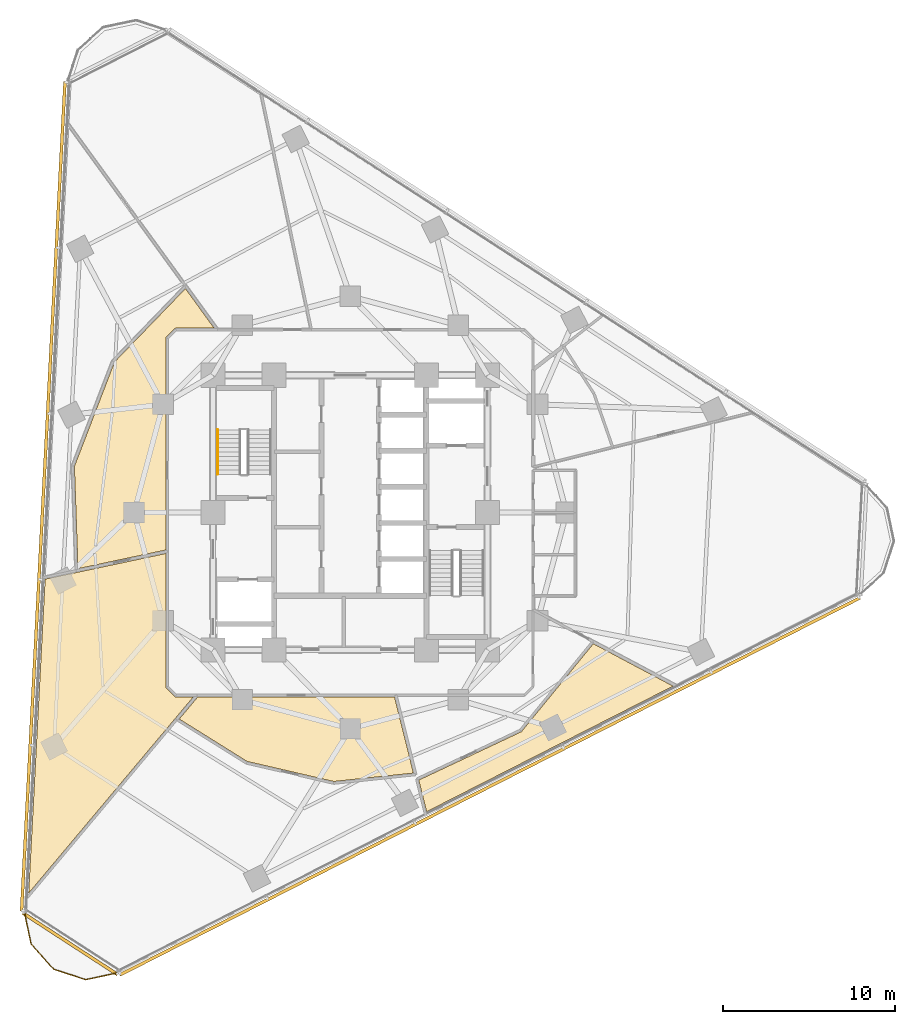
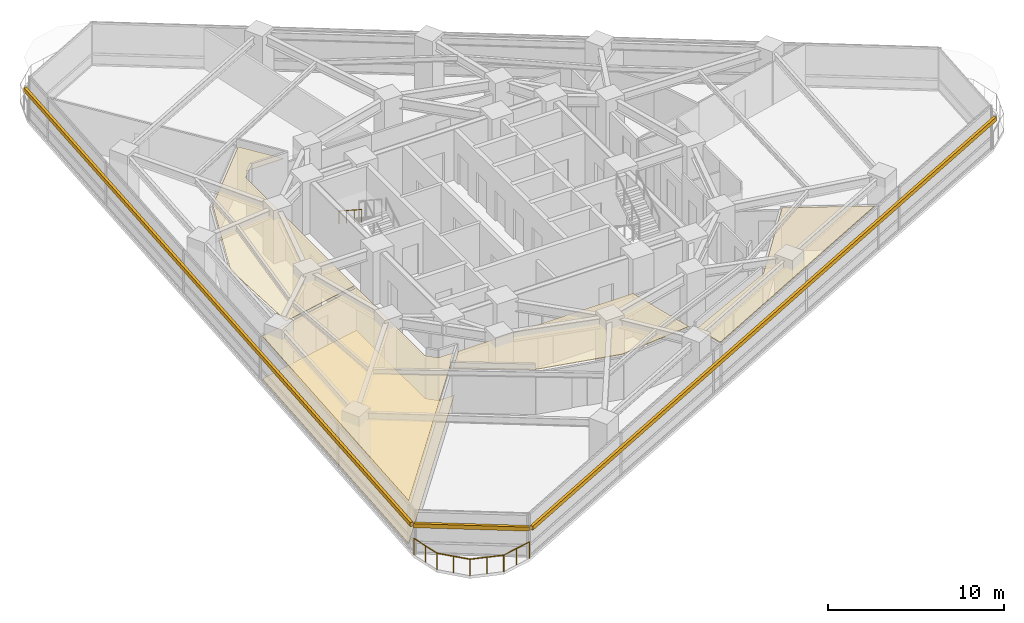
# One storey, part 12 of 14: 5 coverings, 3 shading devices, 2 railings.
"""IFC4 building model written with IfcOpenShell, lengths in metres."""

import ifcopenshell
import ifcopenshell.guid

model = None  # the IFC model being written
_history = None  # IfcOwnerHistory: only IFC2X3 demands one
_inside = {}  # id of a spatial element -> (the spatial element, [elements in it])
_under = {}  # id of a project, library or spatial element -> (it, [spatial elements below it])
_declared = {}  # id of a project -> (the project, [libraries it declares])
_typed = {}  # id of a type object -> (the type object, [elements of that type])
_made_of = {}  # id of a material, layer set ... -> (it, [elements and type objects made of it])


def new_model(schema):
    """Start an empty IFC model of exactly this schema.

    Asked for "IFC4X3", IfcOpenShell would pick the latest addendum, in which some entities
    have other attributes; the version numbers below select the first issue.
    IFC2X3 requires an IfcOwnerHistory on every rooted entity: one is made here for all.
    """
    global model, _history
    if schema == "IFC4X3":
        model = ifcopenshell.file(schema_version=(4, 3, 0, 0))
    else:
        model = ifcopenshell.file(schema=schema)
    _inside.clear()
    _under.clear()
    _declared.clear()
    _typed.clear()
    _made_of.clear()
    _history = None
    if model.schema == "IFC2X3":
        org = make("IfcOrganization", Name="unknown")
        user = make(
            "IfcPersonAndOrganization",
            ThePerson=make("IfcPerson", FamilyName="unknown"),
            TheOrganization=org,
        )
        app = make(
            "IfcApplication",
            ApplicationDeveloper=org,
            Version="unknown",
            ApplicationFullName="unknown",
            ApplicationIdentifier="unknown",
        )
        _history = make(
            "IfcOwnerHistory",
            OwningUser=user,
            OwningApplication=app,
            ChangeAction="ADDED",
            CreationDate=0,
        )
    return model


def make(cls, **values):
    """One entity of the class cls with the attributes given. An attribute that is None is left unset."""
    return model.create_entity(
        cls, **{name: value for name, value in values.items() if value is not None}
    )


def rooted(cls, **values):
    """An entity with a GlobalId (a new one), such as an element, a storey or a relation."""
    return make(cls, GlobalId=ifcopenshell.guid.new(), OwnerHistory=_history, **values)


def si_unit(unit_type, name, prefix=None):
    """IfcSIUnit, for example si_unit("LENGTHUNIT", "METRE", prefix="MILLI")."""
    return make("IfcSIUnit", UnitType=unit_type, Prefix=prefix, Name=name)


def assignment(units):
    """IfcUnitAssignment: the units of a project."""
    return None if units is None else make("IfcUnitAssignment", Units=units)


def point(xyz):
    """IfcCartesianPoint."""
    return None if xyz is None else make("IfcCartesianPoint", Coordinates=xyz)


def direction(xyz):
    """IfcDirection."""
    return None if xyz is None else make("IfcDirection", DirectionRatios=xyz)


def frame(location, z_axis=None, x_axis=None):
    """IfcAxis2Placement3D, a coordinate frame: its origin and axes. An axis left out is left unset."""
    return make(
        "IfcAxis2Placement3D",
        Location=point(location),
        Axis=direction(z_axis),
        RefDirection=direction(x_axis),
    )


def frame_2d(location, x_axis=None):
    """IfcAxis2Placement2D, a coordinate frame in the plane: its origin and x axis."""
    return make(
        "IfcAxis2Placement2D", Location=point(location), RefDirection=direction(x_axis)
    )


def origin():
    """The frame at (0, 0, 0) with its axes left unset."""
    return frame((0.0, 0.0, 0.0))


def origin_2d():
    """The frame at (0, 0) in the plane with its x axis left unset."""
    return frame_2d((0.0, 0.0))


def place(relative_to, where):
    """IfcLocalPlacement: puts the frame where relative to a parent placement (None: the world)."""
    return make(
        "IfcLocalPlacement", PlacementRelTo=relative_to, RelativePlacement=where
    )


def context(
    kind, dimensions, precision=None, world=None, true_north=None, identifier=None
):
    """IfcGeometricRepresentationContext, for example the 3D "Model" context."""
    return make(
        "IfcGeometricRepresentationContext",
        ContextIdentifier=identifier,
        ContextType=kind,
        CoordinateSpaceDimension=dimensions,
        Precision=precision,
        WorldCoordinateSystem=world,
        TrueNorth=true_north,
    )


def subcontext(parent, identifier, kind, view, scale=None):
    """IfcGeometricRepresentationSubContext, for example "Body" below "Model"."""
    return make(
        "IfcGeometricRepresentationSubContext",
        ContextIdentifier=identifier,
        ContextType=kind,
        ParentContext=parent,
        TargetScale=scale,
        TargetView=view,
    )


def project(units=None, contexts=None):
    """IfcProject with its units and contexts."""
    return rooted(
        "IfcProject",
        Name="project",
        RepresentationContexts=contexts,
        UnitsInContext=assignment(units),
    )


def spatial(cls, under=None, at=None, **own):
    """A site, building, storey or space (cls), placed at a placement, below another one or the project."""
    s = rooted(cls, ObjectPlacement=at, **own)
    if under is not None:
        _under.setdefault(under.id(), (under, []))[1].append(s)
    return s


def polyline(points):
    """IfcPolyline through the points."""
    return make("IfcPolyline", Points=[point(p) for p in points])


def profile(cls, at=None, kind="AREA", **sizes):
    """A parametric profile (cls). Its sizes go by their IFC names, for example OverallWidth=200.0."""
    return make(cls, ProfileType=kind, Position=at, **sizes)


def rectangle(**sizes):
    """IfcRectangleProfileDef."""
    return profile("IfcRectangleProfileDef", **sizes)


def circle(**sizes):
    """IfcCircleProfileDef."""
    return profile("IfcCircleProfileDef", **sizes)


def outline(outer, holes=None, kind="AREA"):
    """IfcArbitraryClosedProfileDef: a profile drawn as a closed curve; with holes, ...WithVoids."""
    if holes is None:
        return make("IfcArbitraryClosedProfileDef", ProfileType=kind, OuterCurve=outer)
    return make(
        "IfcArbitraryProfileDefWithVoids",
        ProfileType=kind,
        OuterCurve=outer,
        InnerCurves=holes,
    )


def extrude(swept, where, along, depth):
    """IfcExtrudedAreaSolid: the profile swept, set in the frame where, extruded along a direction by depth."""
    return make(
        "IfcExtrudedAreaSolid",
        SweptArea=swept,
        Position=where,
        ExtrudedDirection=direction(along),
        Depth=depth,
    )


def shape(context_of_items, identifier, shape_type, items):
    """IfcShapeRepresentation: the items that make up one representation, for example the "Body"."""
    return make(
        "IfcShapeRepresentation",
        ContextOfItems=context_of_items,
        RepresentationIdentifier=identifier,
        RepresentationType=shape_type,
        Items=items,
    )


def material(Name=None, Category=None):
    """IfcMaterial."""
    return make("IfcMaterial", Name=Name, Category=Category)


def layer(
    of_material, thickness, ventilated=None, Name=None, Category=None, Priority=None
):
    """IfcMaterialLayer: one layer of a wall or slab, of a material (None: an air gap)."""
    return make(
        "IfcMaterialLayer",
        Material=of_material,
        LayerThickness=thickness,
        IsVentilated=ventilated,
        Name=Name,
        Category=Category,
        Priority=Priority,
    )


def layer_set(layers, Name=None):
    """IfcMaterialLayerSet."""
    return make("IfcMaterialLayerSet", MaterialLayers=layers, LayerSetName=Name)


def made_of(thing, what):
    """Note that an element or type object is made of a material, layer set ...; save() writes the relation."""
    if what is not None:
        _made_of.setdefault(what.id(), (what, []))[1].append(thing)
    return thing


def type_object(cls, material=None, **own):
    """A type object (cls), such as IfcWallType, which elements share."""
    return made_of(rooted(cls, **own), material)


def element(
    cls,
    number,
    at=None,
    inside=None,
    cuts=None,
    type_object=None,
    material=None,
    context=None,
    identifier="Body",
    shape_type=None,
    held_by="IfcProductDefinitionShape",
    body=None,
    shapes=None,
    **own,
):
    """One element of the class cls, such as IfcWall. Its Tag is "e" and its number.

    at: its placement. inside: the storey or other place that contains it. cuts: it is an
    opening in that element (IfcRelVoidsElement). A single representation is given by context,
    identifier, shape_type and body (its items); several are given by shapes. held_by: the class
    of the entity that holds the representations. save() writes the other relations.
    """
    e = rooted(cls, Tag="e%d" % number, ObjectPlacement=at, **own)
    if body is not None:
        shapes = [shape(context, identifier, shape_type, body)]
    if shapes is not None:
        e.Representation = make(held_by, Representations=shapes)
    if inside is not None:
        _inside.setdefault(inside.id(), (inside, []))[1].append(e)
    if cuts is not None:
        rooted(
            "IfcRelVoidsElement", RelatingBuildingElement=cuts, RelatedOpeningElement=e
        )
    if type_object is not None:
        _typed.setdefault(type_object.id(), (type_object, []))[1].append(e)
    return made_of(e, material)


def aggregate(whole, parts):
    """IfcRelAggregates: a whole, such as a stair, and the parts it consists of."""
    return rooted("IfcRelAggregates", RelatingObject=whole, RelatedObjects=parts)


def save(model, path):
    """Write the relations noted so far, then the file.

    IfcRelAggregates (storeys below a building ...), IfcRelContainedInSpatialStructure (elements
    in a storey), IfcRelDefinesByType, IfcRelAssociatesMaterial and IfcRelDeclares: one each for
    every whole, place, type object, material and project.
    """
    for whole, parts in _under.values():
        aggregate(whole, parts)
    for where, things in _inside.values():
        rooted(
            "IfcRelContainedInSpatialStructure",
            RelatedElements=things,
            RelatingStructure=where,
        )
    for kind, things in _typed.values():
        rooted("IfcRelDefinesByType", RelatedObjects=things, RelatingType=kind)
    for what, things in _made_of.values():
        rooted("IfcRelAssociatesMaterial", RelatedObjects=things, RelatingMaterial=what)
    for by, libraries in _declared.values():
        rooted("IfcRelDeclares", RelatingContext=by, RelatedDefinitions=libraries)
    model.write(path)


model = new_model("IFC4")

# Units and contexts
model_context = context("Model", 3, precision=1e-05, world=origin(), true_north=direction((0.0, 1.0)))
body_context = subcontext(model_context, "Body", "Model", "MODEL_VIEW")
ifc_project = project(units=[si_unit("LENGTHUNIT", "METRE"), si_unit("AREAUNIT", "SQUARE_METRE"), si_unit("VOLUMEUNIT", "CUBIC_METRE"), si_unit("PLANEANGLEUNIT", "RADIAN"), si_unit("MASSUNIT", "GRAM", prefix="KILO")], contexts=[model_context])

# Site, building, storey
site_placement = place(None, origin())
site = spatial("IfcSite", under=ifc_project, at=site_placement, CompositionType="ELEMENT")
building_placement = place(site_placement, origin())
building = spatial("IfcBuilding", under=site, at=building_placement, Name="Terralouvre Media Tower", CompositionType="ELEMENT")
storey_placement = place(building_placement, frame((0.0, 0.0, 127.300048828125)))
storey = spatial("IfcBuildingStorey", under=building, at=storey_placement, Name="L32", CompositionType="ELEMENT", Elevation=127.300048828125)

# Coverings
ifc_material_1 = material(Name="Resilient elastomer acoustic broadcast studio flooring")
ifc_layer_1 = layer(ifc_material_1, 0.050048828125, Name="Broadcast Studio Acoustic Floating Floor FL-AC1")
ifc_layer_set_1 = layer_set([ifc_layer_1], Name="Resilient elastomer acoustic broadcast studio flooring")
covering_type_1 = type_object("IfcCoveringType", Name="Broadcast Studio Acoustic Floating Floor FL-AC1", PredefinedType="FLOORING", material=ifc_layer_set_1)
covering_1_placement = place(storey_placement, frame((0.0, 0.0, 0.0), z_axis=(0.0, 0.0, 1.0), x_axis=(0.891006524188, 0.45399049974, 0.0)))
element("IfcCovering", 1, at=covering_1_placement, inside=storey, type_object=covering_type_1, Name="L32 OB Coordination Crew Room 1 Acoustic Floating Floor", PredefinedType="FLOORING", context=body_context, shape_type="SweptSolid", body=[
    extrude(outline(polyline([(-13.033447265625, -5.424072265625), (-13.924072265625, -4.97021484375), (-13.9326171875, -4.96533203125), (-13.940673828125, -4.959716796875), (-13.947998046875, -4.953369140625), (-13.954833984375, -4.946044921875), (-13.960693359375, -4.9384765625), (-13.966064453125, -4.929931640625), (-13.97021484375, -4.92138671875), (-13.973876953125, -4.912109375), (-14.1923828125, -4.239501953125), (-14.19482421875, -4.230224609375), (-14.196533203125, -4.220458984375), (-14.197265625, -4.210693359375), (-14.197021484375, -4.200927734375), (-14.195556640625, -4.191162109375), (-14.193603515625, -4.181640625), (-14.1904296875, -4.17236328125), (-14.186279296875, -4.163330078125), (-10.662109375, 2.753173828125), (-15.78857421875, 4.126708984375), (-17.603271484375, 4.61376953125), (-26.763671875, -11.251708984375), (-14.5244140625, -6.056884765625), (-13.033447265625, -5.424072265625)])), origin(), (0.0, 0.0, 1.0), 0.050048828125),
])
ifc_material_2 = material(Name="Perforated aluminium acoustic ceiling baffle", Category="aluminium")
ifc_layer_2 = layer(ifc_material_2, 0.0400390625, Name="Perforated Acoustic Metal Tile Ceiling CL-AC1")
ifc_layer_set_2 = layer_set([ifc_layer_2], Name="Perforated aluminium acoustic ceiling baffle")
covering_type_2 = type_object("IfcCoveringType", Name="Perforated Acoustic Metal Tile Ceiling CL-AC1", PredefinedType="CEILING", material=ifc_layer_set_2)
covering_2_placement = place(storey_placement, frame((0.0, 0.0, 2.97998046875), z_axis=(0.0, 0.0, 1.0), x_axis=(0.891006524188, 0.45399049974, 0.0)))
element("IfcCovering", 2, at=covering_2_placement, inside=storey, type_object=covering_type_2, Name="L32 OB Coordination Crew Room 1 Acoustic Ceiling", PredefinedType="CEILING", context=body_context, shape_type="SweptSolid", body=[
    extrude(outline(polyline([(-13.033447265625, -5.424072265625), (-13.924072265625, -4.97021484375), (-13.9326171875, -4.96533203125), (-13.940673828125, -4.959716796875), (-13.947998046875, -4.953369140625), (-13.954833984375, -4.946044921875), (-13.960693359375, -4.9384765625), (-13.966064453125, -4.929931640625), (-13.97021484375, -4.92138671875), (-13.973876953125, -4.912109375), (-14.1923828125, -4.239501953125), (-14.19482421875, -4.230224609375), (-14.196533203125, -4.220458984375), (-14.197265625, -4.210693359375), (-14.197021484375, -4.200927734375), (-14.195556640625, -4.191162109375), (-14.193603515625, -4.181640625), (-14.1904296875, -4.17236328125), (-14.186279296875, -4.163330078125), (-10.662109375, 2.753173828125), (-15.78857421875, 4.126708984375), (-17.603271484375, 4.61376953125), (-26.763671875, -11.251708984375), (-14.5244140625, -6.056884765625), (-13.033447265625, -5.424072265625)])), origin(), (0.0, 0.0, 1.0), 0.0400390625),
])
covering_3_placement = place(storey_placement, frame((0.0, 0.0, 2.97998046875), z_axis=(0.0, 0.0, 1.0), x_axis=(0.891006524188, 0.45399049974, 0.0)))
element("IfcCovering", 3, at=covering_3_placement, inside=storey, type_object=covering_type_2, Name="L32 Sports Commentary Control Room 3 Acoustic Ceiling", PredefinedType="CEILING", context=body_context, shape_type="SweptSolid", body=[
    extrude(outline(polyline([(-11.936767578125, -10.1953125), (-7.96826171875, -13.526611328125), (-3.611572265625, -15.198486328125), (-2.58447265625, -10.748291015625), (-12.801025390625, -5.542724609375), (-14.34033203125, -6.196044921875), (-11.936767578125, -10.1953125)])), origin(), (0.0, 0.0, 1.0), 0.0400390625),
])
covering_4_placement = place(storey_placement, frame((0.0, 0.0, 2.97998046875), z_axis=(0.0, 0.0, 1.0), x_axis=(0.891006524188, 0.45399049974, 0.0)))
element("IfcCovering", 4, at=covering_4_placement, inside=storey, type_object=covering_type_2, Name="L32 Tournament Highlights Cinema 5 Acoustic Ceiling", PredefinedType="CEILING", context=body_context, shape_type="SweptSolid", body=[
    extrude(outline(polyline([(3.112060546875, -15.895751953125), (3.103759765625, -15.89892578125), (3.09521484375, -15.9013671875), (3.086669921875, -15.903076171875), (3.07763671875, -15.904052734375), (3.06884765625, -15.904052734375), (-3.52294921875, -15.70263671875), (-3.94921875, -17.552001953125), (12.16796875, -17.55224609375), (9.148681640625, -13.240234375), (3.112060546875, -15.895751953125)])), origin(), (0.0, 0.0, 1.0), 0.0400390625),
])
covering_5_placement = place(storey_placement, frame((0.0, 0.0, 2.97998046875), z_axis=(0.0, 0.0, 1.0), x_axis=(0.891006524188, 0.45399049974, 0.0)))
element("IfcCovering", 5, at=covering_5_placement, inside=storey, type_object=covering_type_2, Name="L32 Sports Desk Workspace 12 Acoustic Ceiling", PredefinedType="CEILING", context=body_context, shape_type="SweptSolid", body=[
    extrude(outline(polyline([(-8.27197265625, 14.043212890625), (-13.10107421875, 9.694580078125), (-15.62158203125, 4.2890625), (-10.5693359375, 2.935302734375), (-4.97021484375, 13.924072265625), (-4.96533203125, 13.9326171875), (-4.959716796875, 13.940673828125), (-4.953369140625, 13.947998046875), (-4.946044921875, 13.954833984375), (-4.9384765625, 13.960693359375), (-4.929931640625, 13.966064453125), (-4.92138671875, 13.97021484375), (-4.912109375, 13.973876953125), (-4.239501953125, 14.1923828125), (-4.230224609375, 14.19482421875), (-4.220458984375, 14.196533203125), (-4.210693359375, 14.197265625), (-4.200927734375, 14.197021484375), (-4.191162109375, 14.195556640625), (-4.181640625, 14.193603515625), (-4.17236328125, 14.1904296875), (-4.163330078125, 14.186279296875), (-2.189208984375, 13.180419921875), (-2.633056640625, 15.984375), (-8.27197265625, 14.043212890625)])), origin(), (0.0, 0.0, 1.0), 0.0400390625),
])

# Railings
ifc_material_3 = material(Name="Stainless steel 316 handrail and balustrade", Category="steel")
ifc_layer_3 = layer(ifc_material_3, 0.06005859375, Name="Roof Edge Safety Guardrail GR-ROOF1")
ifc_layer_set_3 = layer_set([ifc_layer_3], Name="Stainless steel 316 handrail and balustrade")
railing_type_1 = type_object("IfcRailingType", Name="Roof Edge Safety Guardrail GR-ROOF1", PredefinedType="GUARDRAIL", material=ifc_layer_set_3)
railing_1_placement = place(storey_placement, frame((-19.004638671875, -23.22509765625, 0.0)))
element("IfcRailing", 6, at=railing_1_placement, inside=storey, type_object=railing_type_1, Name="L32 Wind-Corner Perimeter Safety Guardrail C0", PredefinedType="GUARDRAIL", context=body_context, shape_type="SweptSolid", body=[
    extrude(circle(Radius=0.02099609375, at=origin_2d()), frame((0.0, 0.0, 1.12890625), z_axis=(0.20770581411, -0.978191338535, 0.0), x_axis=(0.978191338535, 0.20770581411, 0.0)), (0.0, 0.0, 1.0), 1.966552734375),
    extrude(circle(Radius=0.02099609375, at=origin_2d()), frame((0.408447265625, -1.923583984375, 1.12890625), z_axis=(0.669067634628, -0.743201520648, 0.0), x_axis=(0.743201520648, 0.669067634628, 0.0)), (0.0, 0.0, 1.0), 1.966064453125),
    extrude(circle(Radius=0.02099609375, at=origin_2d()), frame((1.723876953125, -3.384765625, 1.12890625), z_axis=(0.951088800654, -0.308917615669, 0.0), x_axis=(0.308917615669, 0.951088800654, 0.0)), (0.0, 0.0, 1.0), 1.96630859375),
    extrude(circle(Radius=0.02099609375, at=origin_2d()), frame((3.593994140625, -3.9921875, 1.12890625), z_axis=(0.978110230454, 0.208087426535, 0.0), x_axis=(-0.208087426535, 0.978110230454, 0.0)), (0.0, 0.0, 1.0), 1.96630859375),
    extrude(circle(Radius=0.01904296875, at=origin_2d()), origin(), (0.0, 0.0, 1.0), 1.10791015625),
    extrude(circle(Radius=0.01904296875, at=origin_2d()), frame((0.2041015625, -0.9619140625, 0.0)), (0.0, 0.0, 1.0), 1.10791015625),
    extrude(circle(Radius=0.01904296875, at=origin_2d()), frame((0.408447265625, -1.923583984375, 0.0)), (0.0, 0.0, 1.0), 1.10791015625),
    extrude(circle(Radius=0.01904296875, at=origin_2d()), frame((1.066162109375, -2.654296875, 0.0)), (0.0, 0.0, 1.0), 1.10791015625),
    extrude(circle(Radius=0.01904296875, at=origin_2d()), frame((1.723876953125, -3.384765625, 0.0)), (0.0, 0.0, 1.0), 1.10791015625),
    extrude(circle(Radius=0.01904296875, at=origin_2d()), frame((2.658935546875, -3.6884765625, 0.0)), (0.0, 0.0, 1.0), 1.10791015625),
    extrude(circle(Radius=0.01904296875, at=origin_2d()), frame((3.593994140625, -3.9921875, 0.0)), (0.0, 0.0, 1.0), 1.10791015625),
    extrude(circle(Radius=0.01904296875, at=origin_2d()), frame((4.5556640625, -3.78759765625, 0.0)), (0.0, 0.0, 1.0), 1.10791015625),
    extrude(circle(Radius=0.01904296875, at=origin_2d()), frame((5.517333984375, -3.5830078125, 0.0)), (0.0, 0.0, 1.0), 1.10791015625),
])
ifc_material_4 = material(Name="Stainless steel 316 handrail and balustrade", Category="steel")
ifc_layer_4 = layer(ifc_material_4, 0.050048828125, Name="Stair Flight Wall Handrail HR-INT1")
ifc_layer_set_4 = layer_set([ifc_layer_4], Name="Stainless steel 316 handrail and balustrade")
railing_type_2 = type_object("IfcRailingType", Name="Stair Flight Wall Handrail HR-INT1", PredefinedType="HANDRAIL", material=ifc_layer_set_4)
railing_2_placement = place(storey_placement, frame((-7.72998046875, 4.820068359375, 2.01806640625)))
element("IfcRailing", 7, at=railing_2_placement, inside=storey, type_object=railing_type_2, Name="L32 ST-01 stair handrail 2", PredefinedType="HANDRAIL", context=body_context, shape_type="SweptSolid", body=[
    extrude(circle(Radius=0.02392578125, at=origin_2d()), frame((0.0, 0.0, 0.8759765625), z_axis=(0.0, -0.839648411786, 0.543130320075), x_axis=(1.0, 0.0, 0.0)), (0.0, 0.0, 1.0), 3.0966796875),
    extrude(circle(Radius=0.02099609375, at=origin_2d()), origin(), (0.0, 0.0, 1.0), 0.851806640625),
    extrude(circle(Radius=0.02099609375, at=origin_2d()), frame((0.0, -0.86669921875, 0.560546875)), (0.0, 0.0, 1.0), 0.851806640625),
    extrude(circle(Radius=0.02099609375, at=origin_2d()), frame((0.0, -1.7333984375, 1.121337890625)), (0.0, 0.0, 1.0), 0.851806640625),
    extrude(circle(Radius=0.02099609375, at=origin_2d()), frame((0.0, -2.60009765625, 1.681884765625)), (0.0, 0.0, 1.0), 0.851806640625),
])

# Shading devices
ifc_material_5 = material(Name="Extruded terracotta baguette sunshade louvres", Category="masonry")
shading_device_type = type_object("IfcShadingDeviceType", Name="Terracotta Baguette Sunshade Louvre Screen TB-LV1", PredefinedType="USERDEFINED", material=ifc_material_5)
for number, where, z_axis, x_axis, name in (
    (8, (8.1318359375, -15.959716796875, 2.02392578125), (0.0, 0.0, 1.0), (0.891006501178, 0.4539905449, 0.0), "CW-L32-F0 Terracotta Baguette Sunshade Louvre"),
    (9, (-17.887451171875, 0.9375, 2.02392578125), (0.0, 0.0, 1.0), (-0.052335949864, -0.998629535089, 0.0), "CW-L32-F2 Terracotta Baguette Sunshade Louvre"),
):
    element("IfcShadingDevice", number, at=place(storey_placement, frame(where, z_axis=z_axis, x_axis=x_axis)), inside=storey, type_object=shading_device_type, Name=name, ObjectType="BAGUETTE", PredefinedType="USERDEFINED", context=body_context, shape_type="SweptSolid", body=[
        extrude(rectangle(XDim=48.39990234375, YDim=0.179931640625, at=origin_2d()), origin(), (0.0, 0.0, 1.0), 0.280029296875),
    ])
shading_device_placement = place(storey_placement, frame((-16.3193359375, -25.129638671875, 2.02392578125), z_axis=(0.0, 0.0, 1.0), x_axis=(0.838670390568, -0.544639308152, 0.0)))
element("IfcShadingDevice", 10, at=shading_device_placement, inside=storey, type_object=shading_device_type, Name="CW-L32-C0 Terracotta Baguette Sunshade Louvre", ObjectType="BAGUETTE", PredefinedType="USERDEFINED", context=body_context, shape_type="SweptSolid", body=[
    extrude(rectangle(XDim=6.581787109375, YDim=0.179931640625, at=origin_2d()), origin(), (0.0, 0.0, 1.0), 0.280029296875),
])

save(model, "model.ifc")
